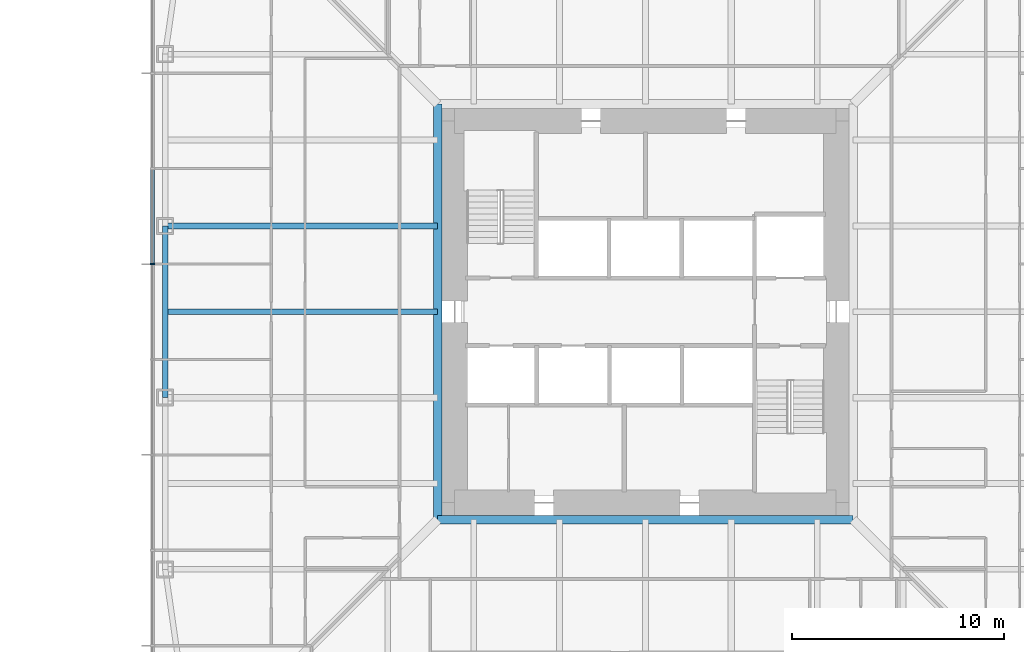
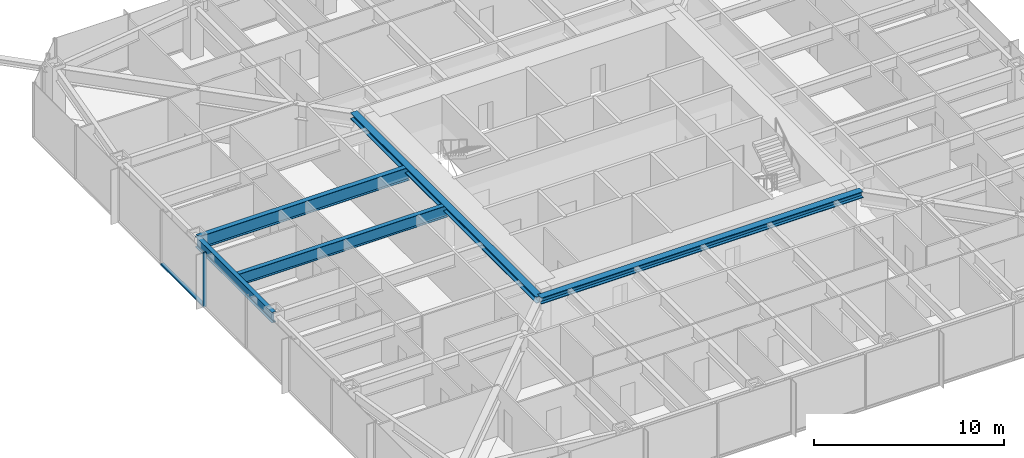
# One storey, part 4 of 26: 5 beams, 2 members, 1 element without a shape of its own.
"""IFC4 building model written with IfcOpenShell, lengths in metres."""

from ifc_helpers import new_model, si_unit, direction, frame, origin, origin_2d, place, context, subcontext, project, spatial, rectangle, i_section, extrude, material, material_profile, profile_set, type_object, element, aggregate, save


model = new_model("IFC4")

# Units and contexts
model_context = context("Model", 3, precision=1e-05, world=origin(), true_north=direction((0.0, 1.0)))
body_context = subcontext(model_context, "Body", "Model", "MODEL_VIEW")
ifc_project = project(units=[si_unit("LENGTHUNIT", "METRE"), si_unit("AREAUNIT", "SQUARE_METRE"), si_unit("VOLUMEUNIT", "CUBIC_METRE"), si_unit("PLANEANGLEUNIT", "RADIAN"), si_unit("MASSUNIT", "GRAM", prefix="KILO")], contexts=[model_context])

# Site, building, storey
site_placement = place(None, origin())
site = spatial("IfcSite", under=ifc_project, at=site_placement, CompositionType="ELEMENT")
building_placement = place(site_placement, origin())
building = spatial("IfcBuilding", under=site, at=building_placement, Name="Iwan Alto Co-Living Towers", CompositionType="ELEMENT")
storey_placement = place(building_placement, frame((0.0, 0.0, 22.0)))
storey = spatial("IfcBuildingStorey", under=building, at=storey_placement, Name="L05", CompositionType="ELEMENT", Elevation=22.0)

# Curtain wall, members
ifc_material_1 = material(Name="Bronze aluminium unitised frame", Category="aluminium")
curtain_wall_type = type_object("IfcCurtainWallType", Name="CURTAIN WALL CW-A", PredefinedType="NOTDEFINED", material=ifc_material_1)
curtain_wall_placement = place(storey_placement, origin())
curtain_wall = element("IfcCurtainWall", 1, at=curtain_wall_placement, inside=storey, type_object=curtain_wall_type, Name="T1 curtain wall W L05", PredefinedType="NOTDEFINED")
ifc_material_2 = material(Name="Aluminium 6063-T6 bronze anodised", Category="aluminium")
ifc_material_profile_1 = material_profile(ifc_material_2, rectangle(XDim=0.199951171875, YDim=0.080078125, at=origin_2d()), Name="AL 80X200")
ifc_profile_set_1 = profile_set([ifc_material_profile_1], Name="Aluminium 6063-T6 bronze anodised")
member_type_1 = type_object("IfcMemberType", Name="CW-A MULLION 80X200", PredefinedType="MULLION", material=ifc_profile_set_1)
member_1_placement = place(storey_placement, frame((-23.25, 2.25, 0.0), z_axis=(0.0, 0.0, 1.0), x_axis=(1.0, 0.0, 0.0)))
member_1 = element("IfcMember", 2, at=member_1_placement, type_object=member_type_1, Name="CW-A mullion 5", PredefinedType="MULLION", context=body_context, shape_type="SweptSolid", body=[
    extrude(rectangle(XDim=0.199951171875, YDim=0.080078125, at=origin_2d()), origin(), (0.0, 0.0, 1.0), 3.5),
])
ifc_material_3 = material(Name="Aluminium 6063-T6 bronze anodised", Category="aluminium")
ifc_material_profile_2 = material_profile(ifc_material_3, rectangle(XDim=0.199951171875, YDim=0.10009765625, at=origin_2d()), Name="AL 200X100")
ifc_profile_set_2 = profile_set([ifc_material_profile_2], Name="Aluminium 6063-T6 bronze anodised")
member_type_2 = type_object("IfcMemberType", Name="CW-A TRANSOM 200X100", PredefinedType="USERDEFINED", material=ifc_profile_set_2)
member_2_placement = place(storey_placement, frame((-23.25, 6.7099609375, 0.050048828125), z_axis=(0.0, -1.0, 0.0), x_axis=(1.0, 0.0, 0.0)))
member_2 = element("IfcMember", 3, at=member_2_placement, type_object=member_type_2, Name="CW-A transom 4.1", ObjectType="TRANSOM", PredefinedType="USERDEFINED", context=body_context, shape_type="SweptSolid", body=[
    extrude(rectangle(XDim=0.199951171875, YDim=0.10009765625, at=origin_2d()), origin(), (0.0, 0.0, 1.0), 4.419921875),
])
aggregate(curtain_wall, [member_1, member_2])

# Beams
ifc_material_4 = material(Name="Steel ASTM A992 Gr 50", Category="steel")
ifc_material_profile_3 = material_profile(ifc_material_4, i_section(OverallWidth=0.40380859375, OverallDepth=0.406494140625, WebThickness=0.027099609375, FlangeThickness=0.043701171875, at=origin_2d()), Name="W14X233")
ifc_profile_set_3 = profile_set([ifc_material_profile_3], Name="Steel ASTM A992 Gr 50")
beam_type_1 = type_object("IfcBeamType", Name="T1 CORE LEDGER BEAM W14X233", PredefinedType="BEAM", material=ifc_profile_set_3)
for number, where, z_axis, x_axis, name in (
    (4, (-9.802001953125, -9.802001953125, 3.06689453125), (1.0, 0.0, 0.0), (0.0, 1.0, 0.0), "T1 core ledger beam S L06"),
    (5, (-9.802001953125, 9.802001953125, 3.06689453125), (0.0, -1.0, 0.0), (1.0, 0.0, 0.0), "T1 core ledger beam W L06"),
):
    element("IfcBeam", number, at=place(storey_placement, frame(where, z_axis=z_axis, x_axis=x_axis)), inside=storey, type_object=beam_type_1, Name=name, PredefinedType="BEAM", context=body_context, shape_type="SweptSolid", body=[
        extrude(i_section(OverallWidth=0.40380859375, OverallDepth=0.406494140625, WebThickness=0.027099609375, FlangeThickness=0.043701171875, at=origin_2d()), origin(), (0.0, 0.0, 1.0), 19.60400390625),
    ])
ifc_material_5 = material(Name="Steel ASTM A992 Gr 50", Category="steel")
ifc_material_profile_4 = material_profile(ifc_material_5, i_section(OverallWidth=0.25390625, OverallDepth=0.683349609375, WebThickness=0.012451171875, FlangeThickness=0.018798828125, at=origin_2d()), Name="W27X94")
ifc_profile_set_4 = profile_set([ifc_material_profile_4], Name="Steel ASTM A992 Gr 50")
beam_type_2 = type_object("IfcBeamType", Name="T1 EDGE BEAM W27X94", PredefinedType="BEAM", material=ifc_profile_set_4)
beam_1_placement = place(storey_placement, frame((-22.64990234375, 4.050048828125, 2.928466796875), z_axis=(0.0, -1.0, 0.0), x_axis=(1.0, 0.0, 0.0)))
element("IfcBeam", 6, at=beam_1_placement, inside=storey, type_object=beam_type_2, Name="T1 edge beam W2 L06", PredefinedType="BEAM", context=body_context, shape_type="SweptSolid", body=[
    extrude(i_section(OverallWidth=0.25390625, OverallDepth=0.683349609375, WebThickness=0.012451171875, FlangeThickness=0.018798828125, at=origin_2d()), origin(), (0.0, 0.0, 1.0), 8.10009765625),
])
ifc_material_6 = material(Name="Steel ASTM A992 Gr 50", Category="steel")
ifc_material_profile_5 = material_profile(ifc_material_6, i_section(OverallWidth=0.2919921875, OverallDepth=0.8408203125, WebThickness=0.0146484375, FlangeThickness=0.021728515625, at=origin_2d()), Name="W33X130")
ifc_profile_set_5 = profile_set([ifc_material_profile_5], Name="Steel ASTM A992 Gr 50")
beam_type_3 = type_object("IfcBeamType", Name="T1 RADIAL BEAM W33X130", PredefinedType="BEAM", material=ifc_profile_set_5)
beam_2_placement = place(storey_placement, frame((-22.64990234375, 4.050048828125, 2.849609375), z_axis=(1.0, 0.0, 0.0), x_axis=(0.0, 1.0, 0.0)))
element("IfcBeam", 7, at=beam_2_placement, inside=storey, type_object=beam_type_3, Name="T1 radial beam W2 L06", PredefinedType="BEAM", context=body_context, shape_type="SweptSolid", body=[
    extrude(i_section(OverallWidth=0.2919921875, OverallDepth=0.8408203125, WebThickness=0.0146484375, FlangeThickness=0.021728515625, at=origin_2d()), origin(), (0.0, 0.0, 1.0), 12.847900390625),
])
ifc_material_7 = material(Name="Steel ASTM A992 Gr 50", Category="steel")
ifc_material_profile_6 = material_profile(ifc_material_7, i_section(OverallWidth=0.2666015625, OverallDepth=0.761962890625, WebThickness=0.014404296875, FlangeThickness=0.021484375, at=origin_2d()), Name="W30X116")
ifc_profile_set_6 = profile_set([ifc_material_profile_6], Name="Steel ASTM A992 Gr 50")
beam_type_4 = type_object("IfcBeamType", Name="T1 SECONDARY BEAM W30X116", PredefinedType="JOIST", material=ifc_profile_set_6)
beam_3_placement = place(storey_placement, frame((-22.64990234375, 0.0, 2.888916015625), z_axis=(1.0, 0.0, 0.0), x_axis=(0.0, 1.0, 0.0)))
element("IfcBeam", 8, at=beam_3_placement, inside=storey, type_object=beam_type_4, Name="T1 secondary beam W2 L06", PredefinedType="JOIST", context=body_context, shape_type="SweptSolid", body=[
    extrude(i_section(OverallWidth=0.2666015625, OverallDepth=0.761962890625, WebThickness=0.014404296875, FlangeThickness=0.021484375, at=origin_2d()), origin(), (0.0, 0.0, 1.0), 12.847900390625),
])

save(model, "model.ifc")
